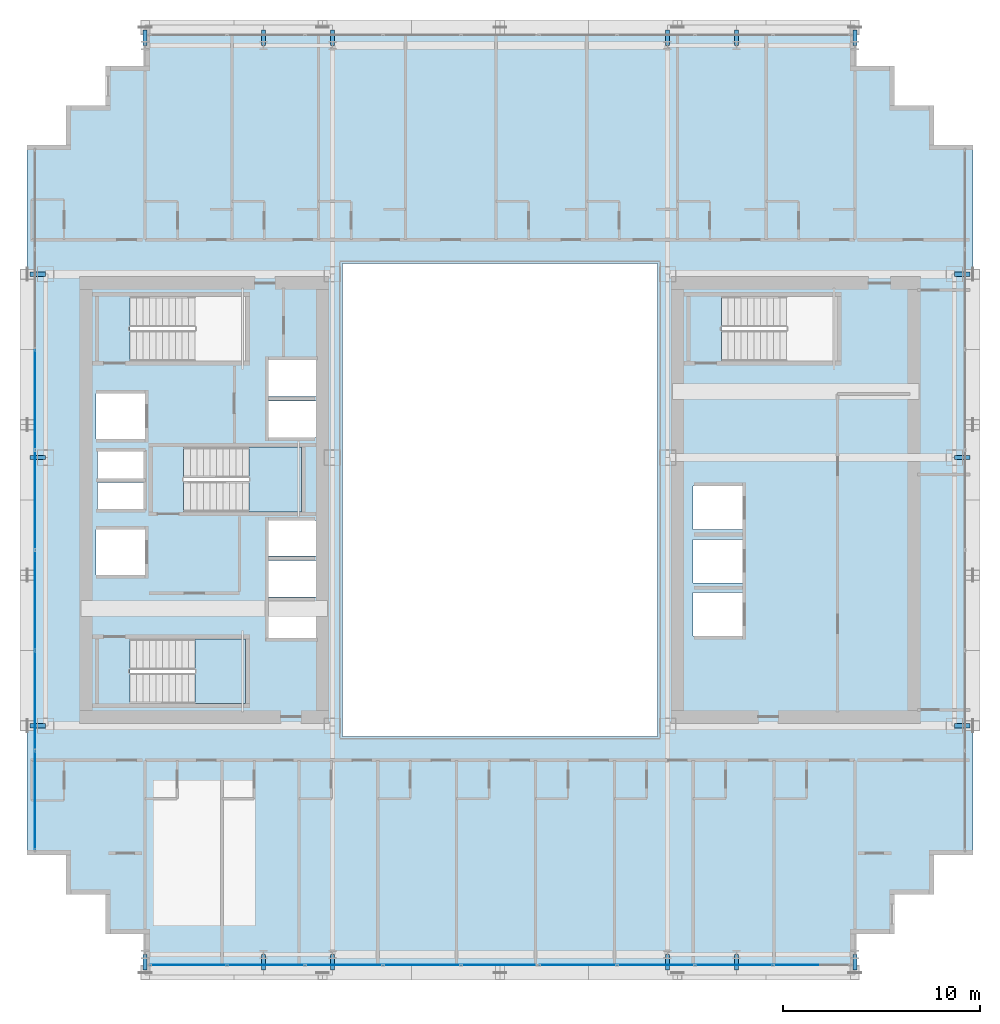
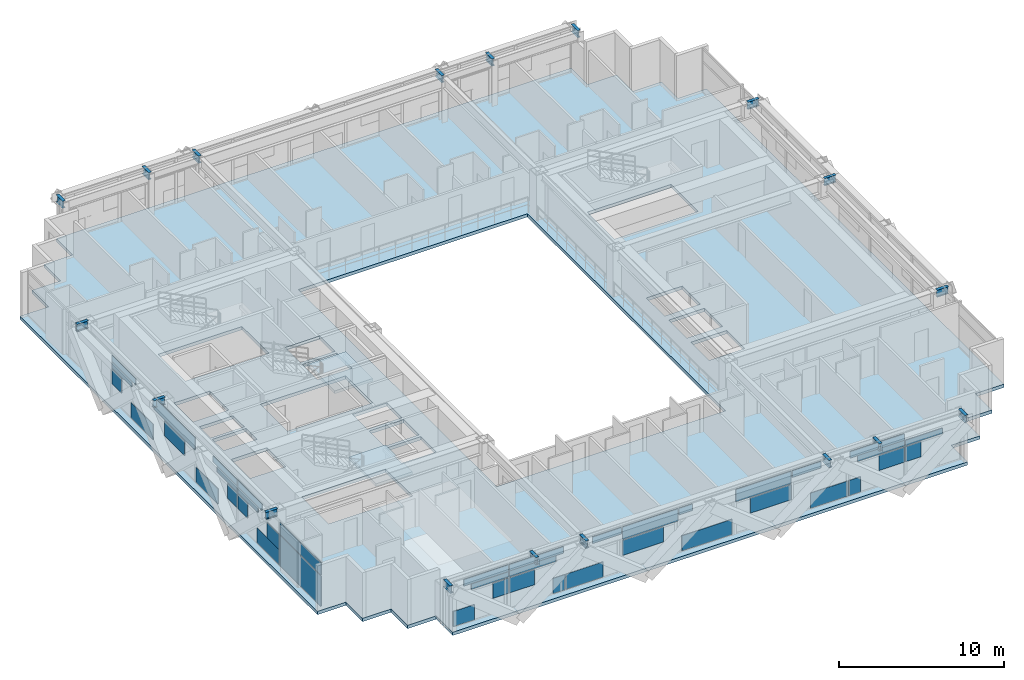
# One storey, part 23 of 36: 41 plates, 18 beams, 3 slabs, 4 elements without a shape of their own.
"""IFC4 building model written with IfcOpenShell, lengths in metres."""

from ifc_helpers import new_model, si_unit, direction, frame, origin, origin_2d, place, context, subcontext, project, spatial, polyline, rectangle, i_section, outline, extrude, source, transform, mapped, material, layer, layer_set, material_profile, profile_set, type_object, element, aggregate, save


model = new_model("IFC4")

# Units and contexts
model_context = context("Model", 3, precision=1e-05, world=origin(), true_north=direction((0.0, 1.0)))
body_context = subcontext(model_context, "Body", "Model", "MODEL_VIEW")
ifc_project = project(units=[si_unit("LENGTHUNIT", "METRE"), si_unit("AREAUNIT", "SQUARE_METRE"), si_unit("VOLUMEUNIT", "CUBIC_METRE"), si_unit("PLANEANGLEUNIT", "RADIAN"), si_unit("MASSUNIT", "GRAM", prefix="KILO")], contexts=[model_context])

# Site, building, storey
site_placement = place(None, origin())
site = spatial("IfcSite", under=ifc_project, at=site_placement, CompositionType="ELEMENT")
building_placement = place(site_placement, origin())
building = spatial("IfcBuilding", under=site, at=building_placement, Name="Ocotamira Hotel", CompositionType="ELEMENT")
storey_placement = place(building_placement, frame((0.0, 0.0, 129.60009765625)))
storey = spatial("IfcBuildingStorey", under=building, at=storey_placement, Name="L32", CompositionType="ELEMENT", Elevation=129.60009765625)

# Beams
ifc_material_1 = material(Name="Steel ASTM A992 Grade 50", Category="steel")
ifc_material_profile = material_profile(ifc_material_1, i_section(OverallWidth=0.2099609375, OverallDepth=0.537109375, WebThickness=0.010986328125, FlangeThickness=0.017333984375, FilletRadius=0.012939453125, at=origin_2d()), Name="W21X68")
ifc_profile_set = profile_set([ifc_material_profile], Name="Steel ASTM A992 Grade 50")
beam_type = type_object("IfcBeamType", Name="BM-SEC-W21X68", PredefinedType="JOIST", material=ifc_profile_set)
shared_shape_1 = source(origin(), body_context, "Body", "SweptSolid", [
    extrude(i_section(OverallWidth=0.2099609375, OverallDepth=0.537109375, WebThickness=0.010986328125, FlangeThickness=0.017333984375, FilletRadius=0.012939453125, at=origin_2d()), origin(), (0.0, 0.0, 1.0), 0.800048828125),
])
for number, where, z_axis, x_axis, name in (
    (1, (14.0, 2.949951171875, 3.09130859375), (0.0, -1.0, 0.0), (1.0, 0.0, 0.0), "L32 South Edge Header X14"),
    (2, (14.0, 49.050048828125, 3.09130859375), (0.0, 1.0, 0.0), (-1.0, 0.0, 0.0), "L32 North Edge Header X14"),
    (3, (20.0, 2.949951171875, 3.09130859375), (0.0, -1.0, 0.0), (1.0, 0.0, 0.0), "L32 South Edge Header X20"),
    (4, (20.0, 49.050048828125, 3.09130859375), (0.0, 1.0, 0.0), (-1.0, 0.0, 0.0), "L32 North Edge Header X20"),
    (5, (23.5, 2.949951171875, 3.09130859375), (0.0, -1.0, 0.0), (1.0, 0.0, 0.0), "L32 South Edge Header X23.5"),
    (6, (23.5, 49.050048828125, 3.09130859375), (0.0, 1.0, 0.0), (-1.0, 0.0, 0.0), "L32 North Edge Header X23.5"),
    (7, (40.5, 2.949951171875, 3.09130859375), (0.0, -1.0, 0.0), (1.0, 0.0, 0.0), "L32 South Edge Header X40.5"),
    (8, (40.5, 49.050048828125, 3.09130859375), (0.0, 1.0, 0.0), (-1.0, 0.0, 0.0), "L32 North Edge Header X40.5"),
    (9, (44.0, 2.949951171875, 3.09130859375), (0.0, -1.0, 0.0), (1.0, 0.0, 0.0), "L32 South Edge Header X44"),
    (10, (44.0, 49.050048828125, 3.09130859375), (0.0, 1.0, 0.0), (-1.0, 0.0, 0.0), "L32 North Edge Header X44"),
    (11, (50.0, 2.949951171875, 3.09130859375), (0.0, -1.0, 0.0), (1.0, 0.0, 0.0), "L32 South Edge Header X50"),
    (12, (50.0, 49.050048828125, 3.09130859375), (0.0, 1.0, 0.0), (-1.0, 0.0, 0.0), "L32 North Edge Header X50"),
    (13, (8.949951171875, 14.550048828125, 3.09130859375), (-1.0, 0.0, 0.0), (0.0, -1.0, 0.0), "L32 West Edge Header Y14.55"),
    (14, (55.050048828125, 14.550048828125, 3.09130859375), (1.0, 0.0, 0.0), (0.0, 1.0, 0.0), "L32 East Edge Header Y14.55"),
    (15, (8.949951171875, 28.14990234375, 3.09130859375), (-1.0, 0.0, 0.0), (0.0, -1.0, 0.0), "L32 West Edge Header Y28.15"),
    (16, (55.050048828125, 28.14990234375, 3.09130859375), (1.0, 0.0, 0.0), (0.0, 1.0, 0.0), "L32 East Edge Header Y28.15"),
    (17, (8.949951171875, 37.449951171875, 3.09130859375), (-1.0, 0.0, 0.0), (0.0, -1.0, 0.0), "L32 West Edge Header Y37.45"),
    (18, (55.050048828125, 37.449951171875, 3.09130859375), (1.0, 0.0, 0.0), (0.0, 1.0, 0.0), "L32 East Edge Header Y37.45"),
):
    element("IfcBeam", number, at=place(storey_placement, frame(where, z_axis=z_axis, x_axis=x_axis)), inside=storey, type_object=beam_type, Name=name, PredefinedType="JOIST", context=body_context, shape_type="MappedRepresentation", body=[
        mapped(shared_shape_1, transform((0.0, 0.0, 0.0), scale=1.0)),
    ])

# Stair, slab
ifc_material_2 = material(Name="Concrete C40/50", Category="concrete")
stair_type = type_object("IfcStairType", Name="ST-CORE-1560", PredefinedType="HALF_TURN_STAIR", material=ifc_material_2)
stair_1_placement = place(storey_placement, origin())
stair_1 = element("IfcStair", 19, at=stair_1_placement, inside=storey, type_object=stair_type, Name="L32 Exit Stair ST-1", PredefinedType="HALF_TURN_STAIR")
ifc_layer_1 = layer(ifc_material_2, 0.199951171875)
ifc_layer_set_1 = layer_set([ifc_layer_1], Name="Concrete C40/50")
slab_type_1 = type_object("IfcSlabType", Name="SLB-LAND-200", PredefinedType="LANDING", material=ifc_layer_set_1)
slab_1_placement = place(storey_placement, frame((0.0, 0.0, 1.599853515625)))
slab_1 = element("IfcSlab", 20, at=slab_1_placement, type_object=slab_type_1, Name="ST-1 landing 1", PredefinedType="LANDING", context=body_context, shape_type="SweptSolid", body=[
    extrude(outline(polyline([(16.530029296875, 15.669921875), (19.090087890625, 15.669921875), (19.090087890625, 18.949951171875), (16.530029296875, 18.949951171875), (16.530029296875, 15.669921875)])), origin(), (0.0, 0.0, 1.0), 0.199951171875),
])
aggregate(stair_1, [slab_1])

stair_2_placement = place(storey_placement, origin())
stair_2 = element("IfcStair", 21, at=stair_2_placement, inside=storey, type_object=stair_type, Name="L32 Exit Stair ST-3", PredefinedType="HALF_TURN_STAIR")
slab_2_placement = place(storey_placement, frame((0.0, 0.0, 1.599853515625)))
slab_2 = element("IfcSlab", 22, at=slab_2_placement, type_object=slab_type_1, Name="ST-3 landing 1", PredefinedType="LANDING", context=body_context, shape_type="SweptSolid", body=[
    extrude(outline(polyline([(19.260009765625, 25.39990234375), (21.919921875, 25.39990234375), (21.919921875, 28.679931640625), (19.260009765625, 28.679931640625), (19.260009765625, 25.39990234375)])), origin(), (0.0, 0.0, 1.0), 0.199951171875),
])
aggregate(stair_2, [slab_2])

# Slab
ifc_layer_2 = layer(ifc_material_2, 0.239990234375)
ifc_layer_set_2 = layer_set([ifc_layer_2], Name="Concrete C40/50")
slab_type_2 = type_object("IfcSlabType", Name="SLB-TYP-240", PredefinedType="FLOOR", material=ifc_layer_set_2)
slab_3_placement = place(storey_placement, frame((0.0, 0.0, -0.239990234375)))
element("IfcSlab", 23, at=slab_3_placement, inside=storey, type_object=slab_type_2, Name="L32 Structural Floor Slab", PredefinedType="FLOOR", context=body_context, shape_type="SweptSolid", body=[
    extrude(outline(polyline([(14.0, 2.0), (50.0, 2.0), (50.0, 4.0), (52.0, 4.0), (52.0, 6.0), (54.0, 6.0), (54.0, 8.0), (56.0, 8.0), (56.0, 44.0), (54.0, 44.0), (54.0, 46.0), (52.0, 46.0), (52.0, 48.0), (50.0, 48.0), (50.0, 50.0), (14.0, 50.0), (14.0, 48.0), (12.0, 48.0), (12.0, 46.0), (10.0, 46.0), (10.0, 44.0), (8.0, 44.0), (8.0, 8.0), (10.0, 8.0), (10.0, 6.0), (12.0, 6.0), (12.0, 4.0), (14.0, 4.0), (14.0, 2.0)]), holes=[polyline([(24.0, 14.0), (40.0, 14.0), (40.0, 38.0), (24.0, 38.0), (24.0, 14.0)]), polyline([(13.22998046875, 15.669921875), (19.090087890625, 15.669921875), (19.090087890625, 18.949951171875), (13.22998046875, 18.949951171875), (13.22998046875, 15.669921875)]), polyline([(13.22998046875, 33.050048828125), (19.090087890625, 33.050048828125), (19.090087890625, 36.330078125), (13.22998046875, 36.330078125), (13.22998046875, 33.050048828125)]), polyline([(15.9599609375, 25.39990234375), (21.919921875, 25.39990234375), (21.919921875, 28.679931640625), (15.9599609375, 28.679931640625), (15.9599609375, 25.39990234375)]), polyline([(43.22998046875, 33.050048828125), (49.090087890625, 33.050048828125), (49.090087890625, 36.330078125), (43.22998046875, 36.330078125), (43.22998046875, 33.050048828125)]), polyline([(41.800048828125, 19.10009765625), (44.300048828125, 19.10009765625), (44.300048828125, 21.300048828125), (41.800048828125, 21.300048828125), (41.800048828125, 19.10009765625)]), polyline([(41.800048828125, 21.800048828125), (44.300048828125, 21.800048828125), (44.300048828125, 24.0), (41.800048828125, 24.0), (41.800048828125, 21.800048828125)]), polyline([(41.800048828125, 24.5), (44.300048828125, 24.5), (44.300048828125, 26.699951171875), (41.800048828125, 26.699951171875), (41.800048828125, 24.5)]), polyline([(20.25, 19.0), (22.659912109375, 19.0), (22.659912109375, 20.85009765625), (20.25, 20.85009765625), (20.25, 19.0)]), polyline([(20.25, 21.080078125), (22.659912109375, 21.080078125), (22.659912109375, 22.929931640625), (20.25, 22.929931640625), (20.25, 21.080078125)]), polyline([(20.25, 23.159912109375), (22.659912109375, 23.159912109375), (22.659912109375, 24.9599609375), (20.25, 24.9599609375), (20.25, 23.159912109375)]), polyline([(20.25, 29.179931640625), (22.659912109375, 29.179931640625), (22.659912109375, 31.030029296875), (20.25, 31.030029296875), (20.25, 29.179931640625)]), polyline([(20.25, 31.260009765625), (22.659912109375, 31.260009765625), (22.659912109375, 33.110107421875), (20.25, 33.110107421875), (20.25, 31.260009765625)]), polyline([(11.5, 22.199951171875), (14.0, 22.199951171875), (14.0, 24.5), (11.5, 24.5), (11.5, 22.199951171875)]), polyline([(11.5, 29.10009765625), (14.0, 29.10009765625), (14.0, 31.39990234375), (11.5, 31.39990234375), (11.5, 29.10009765625)]), polyline([(11.580078125, 25.550048828125), (13.919921875, 25.550048828125), (13.919921875, 26.89990234375), (11.580078125, 26.89990234375), (11.580078125, 25.550048828125)]), polyline([(11.580078125, 27.10009765625), (13.919921875, 27.10009765625), (13.919921875, 28.449951171875), (11.580078125, 28.449951171875), (11.580078125, 27.10009765625)])]), origin(), (0.0, 0.0, 1.0), 0.239990234375),
])

# Curtain wall, plate
ifc_material_3 = material(Name="Anodised pale-metal aluminium and solar glass", Category="aluminium")
ifc_layer_3 = layer(ifc_material_3, 0.179931640625)
ifc_layer_set_3 = layer_set([ifc_layer_3], Name="Anodised pale-metal aluminium and solar glass")
curtain_wall_type = type_object("IfcCurtainWallType", Name="CW-SYS3-Z2", PredefinedType="NOTDEFINED", material=ifc_layer_set_3)
curtain_wall_1_placement = place(storey_placement, origin())
curtain_wall_1 = element("IfcCurtainWall", 24, at=curtain_wall_1_placement, inside=storey, type_object=curtain_wall_type, Name="L32 Curtain Wall CW-3 CW-L32-W", PredefinedType="NOTDEFINED")
ifc_material_4 = material(Name="Double-silver low-E insulated solar glass", Category="glass")
ifc_layer_4 = layer(ifc_material_4, 0.031982421875)
ifc_layer_set_4 = layer_set([ifc_layer_4], Name="Double-silver low-E insulated solar glass")
plate_type = type_object("IfcPlateType", Name="CWP-VISION-32", PredefinedType="CURTAIN_PANEL", material=ifc_layer_set_4)
shared_shape_2 = source(origin(), body_context, "Body", "SweptSolid", [
    extrude(rectangle(XDim=4.9658203125, YDim=0.031982421875, at=origin_2d()), origin(), (0.0, 0.0, 1.0), 2.237548828125),
])
plate_1_placement = place(storey_placement, frame((8.419921875, 10.762939453125, 0.07470703125), z_axis=(0.0, 0.0, 1.0), x_axis=(0.0, 1.0, 0.0)))
plate_1 = element("IfcPlate", 25, at=plate_1_placement, type_object=plate_type, Name="CW-3 panel 1.1", PredefinedType="CURTAIN_PANEL", context=body_context, shape_type="MappedRepresentation", body=[
    mapped(shared_shape_2, transform((0.0, 0.0, 0.0), scale=1.0)),
])

# Curtain wall, plates
curtain_wall_2_placement = place(storey_placement, origin())
curtain_wall_2 = element("IfcCurtainWall", 26, at=curtain_wall_2_placement, inside=storey, type_object=curtain_wall_type, Name="L32 Curtain Wall CW-3 CW-L32-S1", PredefinedType="NOTDEFINED")
shared_shape_3 = source(origin(), body_context, "Body", "SweptSolid", [
    extrude(rectangle(XDim=3.87548828125, YDim=0.031982421875, at=origin_2d()), origin(), (0.0, 0.0, 1.0), 0.8974609375),
])
plate_2_placement = place(storey_placement, frame((28.04443359375, 2.419921875, 2.387451171875), z_axis=(0.0, 0.0, 1.0), x_axis=(1.0, 0.0, 0.0)))
plate_2 = element("IfcPlate", 27, at=plate_2_placement, type_object=plate_type, Name="CW-3 panel 4.2", PredefinedType="CURTAIN_PANEL", context=body_context, shape_type="MappedRepresentation", body=[
    mapped(shared_shape_3, transform((0.0, 0.0, 0.0), scale=1.0)),
])
plate_3_placement = place(storey_placement, frame((35.95556640625, 2.419921875, 2.387451171875), z_axis=(0.0, 0.0, 1.0), x_axis=(1.0, 0.0, 0.0)))
plate_3 = element("IfcPlate", 28, at=plate_3_placement, type_object=plate_type, Name="CW-3 panel 6.2", PredefinedType="CURTAIN_PANEL", context=body_context, shape_type="MappedRepresentation", body=[
    mapped(shared_shape_3, transform((0.0, 0.0, 0.0), scale=1.0)),
])

# Plate
shared_shape_4 = source(origin(), body_context, "Body", "SweptSolid", [
    extrude(rectangle(XDim=4.9658203125, YDim=0.031982421875, at=origin_2d()), origin(), (0.0, 0.0, 1.0), 0.8974609375),
])
plate_4_placement = place(storey_placement, frame((8.419921875, 10.762939453125, 2.387451171875), z_axis=(0.0, 0.0, 1.0), x_axis=(0.0, 1.0, 0.0)))
plate_4 = element("IfcPlate", 29, at=plate_4_placement, type_object=plate_type, Name="CW-3 panel 1.2", PredefinedType="CURTAIN_PANEL", context=body_context, shape_type="MappedRepresentation", body=[
    mapped(shared_shape_4, transform((0.0, 0.0, 0.0), scale=1.0)),
])

shared_shape_5 = source(origin(), body_context, "Body", "SweptSolid", [
    extrude(rectangle(XDim=2.404296875, YDim=0.031982421875, at=origin_2d()), origin(), (0.0, 0.0, 1.0), 1.118896484375),
])
plate_5_placement = place(storey_placement, frame((8.419921875, 26.0, 1.193359375), z_axis=(0.0, 0.0, 1.0), x_axis=(0.0, 1.0, 0.0)))
plate_5 = element("IfcPlate", 30, at=plate_5_placement, type_object=plate_type, Name="CW-3 panel 4.1.1", PredefinedType="CURTAIN_PANEL", context=body_context, shape_type="MappedRepresentation", body=[
    mapped(shared_shape_5, transform((0.0, 0.0, 0.0), scale=1.0)),
])

shared_shape_6 = source(origin(), body_context, "Body", "SweptSolid", [
    extrude(rectangle(XDim=3.104248046875, YDim=0.031982421875, at=origin_2d()), origin(), (0.0, 0.0, 1.0), 0.4716796875),
])
plate_6_placement = place(storey_placement, frame((16.5634765625, 2.419921875, 2.813232421875), z_axis=(0.0, 0.0, 1.0), x_axis=(1.0, 0.0, 0.0)))
plate_6 = element("IfcPlate", 31, at=plate_6_placement, type_object=plate_type, Name="CW-3 panel 1.2.1", PredefinedType="CURTAIN_PANEL", context=body_context, shape_type="MappedRepresentation", body=[
    mapped(shared_shape_6, transform((0.0, 0.0, 0.0), scale=1.0)),
])

shared_shape_7 = source(origin(), body_context, "Body", "SweptSolid", [
    extrude(rectangle(XDim=2.572021484375, YDim=0.031982421875, at=origin_2d()), origin(), (0.0, 0.0, 1.0), 0.39453125),
])
plate_7_placement = place(storey_placement, frame((16.82958984375, 2.419921875, 2.387451171875), z_axis=(0.0, 0.0, 1.0), x_axis=(1.0, 0.0, 0.0)))
plate_7 = element("IfcPlate", 32, at=plate_7_placement, type_object=plate_type, Name="CW-3 panel 1.2.2", PredefinedType="CURTAIN_PANEL", context=body_context, shape_type="MappedRepresentation", body=[
    mapped(shared_shape_7, transform((0.0, 0.0, 0.0), scale=1.0)),
])

plate_8_placement = place(storey_placement, frame((47.17041015625, 2.419921875, 2.387451171875), z_axis=(0.0, 0.0, 1.0), x_axis=(1.0, 0.0, 0.0)))
plate_8 = element("IfcPlate", 33, at=plate_8_placement, type_object=plate_type, Name="CW-3 panel 9.2.1", PredefinedType="CURTAIN_PANEL", context=body_context, shape_type="MappedRepresentation", body=[
    mapped(shared_shape_7, transform((0.0, 0.0, 0.0), scale=1.0)),
])

shared_shape_8 = source(origin(), body_context, "Body", "SweptSolid", [
    extrude(rectangle(XDim=3.260986328125, YDim=0.031982421875, at=origin_2d()), origin(), (0.0, 0.0, 1.0), 0.42578125),
])
plate_9_placement = place(storey_placement, frame((19.826171875, 2.419921875, 2.387451171875), z_axis=(0.0, 0.0, 1.0), x_axis=(1.0, 0.0, 0.0)))
plate_9 = element("IfcPlate", 34, at=plate_9_placement, type_object=plate_type, Name="CW-3 panel 2.2.1", PredefinedType="CURTAIN_PANEL", context=body_context, shape_type="MappedRepresentation", body=[
    mapped(shared_shape_8, transform((0.0, 0.0, 0.0), scale=1.0)),
])

plate_10_placement = place(storey_placement, frame((44.173828125, 2.419921875, 2.387451171875), z_axis=(0.0, 0.0, 1.0), x_axis=(1.0, 0.0, 0.0)))
plate_10 = element("IfcPlate", 35, at=plate_10_placement, type_object=plate_type, Name="CW-3 panel 8.2.2", PredefinedType="CURTAIN_PANEL", context=body_context, shape_type="MappedRepresentation", body=[
    mapped(shared_shape_8, transform((0.0, 0.0, 0.0), scale=1.0)),
])

shared_shape_9 = source(origin(), body_context, "Body", "SweptSolid", [
    extrude(rectangle(XDim=3.793212890625, YDim=0.031982421875, at=origin_2d()), origin(), (0.0, 0.0, 1.0), 0.4716796875),
])
plate_11_placement = place(storey_placement, frame((20.09228515625, 2.419921875, 2.813232421875), z_axis=(0.0, 0.0, 1.0), x_axis=(1.0, 0.0, 0.0)))
plate_11 = element("IfcPlate", 36, at=plate_11_placement, type_object=plate_type, Name="CW-3 panel 2.2.2", PredefinedType="CURTAIN_PANEL", context=body_context, shape_type="MappedRepresentation", body=[
    mapped(shared_shape_9, transform((0.0, 0.0, 0.0), scale=1.0)),
])

plate_12_placement = place(storey_placement, frame((43.90771484375, 2.419921875, 2.813232421875), z_axis=(0.0, 0.0, 1.0), x_axis=(1.0, 0.0, 0.0)))
plate_12 = element("IfcPlate", 37, at=plate_12_placement, type_object=plate_type, Name="CW-3 panel 8.2.1", PredefinedType="CURTAIN_PANEL", context=body_context, shape_type="MappedRepresentation", body=[
    mapped(shared_shape_9, transform((0.0, 0.0, 0.0), scale=1.0)),
])

shared_shape_10 = source(origin(), body_context, "Body", "SweptSolid", [
    extrude(rectangle(XDim=2.015380859375, YDim=0.031982421875, at=origin_2d()), origin(), (0.0, 0.0, 1.0), 0.4716796875),
])
plate_13_placement = place(storey_placement, frame((25.018798828125, 2.419921875, 2.813232421875), z_axis=(0.0, 0.0, 1.0), x_axis=(1.0, 0.0, 0.0)))
plate_13 = element("IfcPlate", 38, at=plate_13_placement, type_object=plate_type, Name="CW-3 panel 3.2.1", PredefinedType="CURTAIN_PANEL", context=body_context, shape_type="MappedRepresentation", body=[
    mapped(shared_shape_10, transform((0.0, 0.0, 0.0), scale=1.0)),
])

plate_14_placement = place(storey_placement, frame((38.981201171875, 2.419921875, 2.813232421875), z_axis=(0.0, 0.0, 1.0), x_axis=(1.0, 0.0, 0.0)))
plate_14 = element("IfcPlate", 39, at=plate_14_placement, type_object=plate_type, Name="CW-3 panel 7.2.1", PredefinedType="CURTAIN_PANEL", context=body_context, shape_type="MappedRepresentation", body=[
    mapped(shared_shape_10, transform((0.0, 0.0, 0.0), scale=1.0)),
])

shared_shape_11 = source(origin(), body_context, "Body", "SweptSolid", [
    extrude(rectangle(XDim=0.926513671875, YDim=0.031982421875, at=origin_2d()), origin(), (0.0, 0.0, 1.0), 0.4716796875),
])
plate_15_placement = place(storey_placement, frame((30.525390625, 2.419921875, 2.813232421875), z_axis=(0.0, 0.0, 1.0), x_axis=(1.0, 0.0, 0.0)))
plate_15 = element("IfcPlate", 40, at=plate_15_placement, type_object=plate_type, Name="CW-3 panel 5.2.1", PredefinedType="CURTAIN_PANEL", context=body_context, shape_type="MappedRepresentation", body=[
    mapped(shared_shape_11, transform((0.0, 0.0, 0.0), scale=1.0)),
])

shared_shape_12 = source(origin(), body_context, "Body", "SweptSolid", [
    extrude(rectangle(XDim=2.908203125, YDim=0.031982421875, at=origin_2d()), origin(), (0.0, 0.0, 1.0), 0.44873046875),
])
plate_16_placement = place(storey_placement, frame((8.419921875, 16.877197265625, 2.836181640625), z_axis=(0.0, 0.0, 1.0), x_axis=(0.0, 1.0, 0.0)))
plate_16 = element("IfcPlate", 41, at=plate_16_placement, type_object=plate_type, Name="CW-3 panel 2.2.1", PredefinedType="CURTAIN_PANEL", context=body_context, shape_type="MappedRepresentation", body=[
    mapped(shared_shape_12, transform((0.0, 0.0, 0.0), scale=1.0)),
])

shared_shape_13 = source(origin(), body_context, "Body", "SweptSolid", [
    extrude(rectangle(XDim=2.4326171875, YDim=0.031982421875, at=origin_2d()), origin(), (0.0, 0.0, 1.0), 0.414306640625),
])
plate_17_placement = place(storey_placement, frame((8.419921875, 17.115234375, 2.38720703125), z_axis=(0.0, 0.0, 1.0), x_axis=(0.0, 1.0, 0.0)))
plate_17 = element("IfcPlate", 42, at=plate_17_placement, type_object=plate_type, Name="CW-3 panel 2.2.2", PredefinedType="CURTAIN_PANEL", context=body_context, shape_type="MappedRepresentation", body=[
    mapped(shared_shape_13, transform((0.0, 0.0, 0.0), scale=1.0)),
])

shared_shape_14 = source(origin(), body_context, "Body", "SweptSolid", [
    extrude(rectangle(XDim=2.4228515625, YDim=0.031982421875, at=origin_2d()), origin(), (0.0, 0.0, 1.0), 0.414306640625),
])
plate_18_placement = place(storey_placement, frame((8.419921875, 19.622802734375, 2.38720703125), z_axis=(0.0, 0.0, 1.0), x_axis=(0.0, 1.0, 0.0)))
plate_18 = element("IfcPlate", 43, at=plate_18_placement, type_object=plate_type, Name="CW-3 panel 3.2.1", PredefinedType="CURTAIN_PANEL", context=body_context, shape_type="MappedRepresentation", body=[
    mapped(shared_shape_14, transform((0.0, 0.0, 0.0), scale=1.0)),
])

plate_19_placement = place(storey_placement, frame((8.419921875, 32.377197265625, 2.38720703125), z_axis=(0.0, 0.0, 1.0), x_axis=(0.0, 1.0, 0.0)))
plate_19 = element("IfcPlate", 44, at=plate_19_placement, type_object=plate_type, Name="CW-3 panel 5.2.2", PredefinedType="CURTAIN_PANEL", context=body_context, shape_type="MappedRepresentation", body=[
    mapped(shared_shape_14, transform((0.0, 0.0, 0.0), scale=1.0)),
])

shared_shape_15 = source(origin(), body_context, "Body", "SweptSolid", [
    extrude(rectangle(XDim=2.898681640625, YDim=0.031982421875, at=origin_2d()), origin(), (0.0, 0.0, 1.0), 0.44873046875),
])
plate_20_placement = place(storey_placement, frame((8.419921875, 19.860595703125, 2.836181640625), z_axis=(0.0, 0.0, 1.0), x_axis=(0.0, 1.0, 0.0)))
plate_20 = element("IfcPlate", 45, at=plate_20_placement, type_object=plate_type, Name="CW-3 panel 3.2.2", PredefinedType="CURTAIN_PANEL", context=body_context, shape_type="MappedRepresentation", body=[
    mapped(shared_shape_15, transform((0.0, 0.0, 0.0), scale=1.0)),
])

plate_21_placement = place(storey_placement, frame((8.419921875, 32.139404296875, 2.836181640625), z_axis=(0.0, 0.0, 1.0), x_axis=(0.0, 1.0, 0.0)))
plate_21 = element("IfcPlate", 46, at=plate_21_placement, type_object=plate_type, Name="CW-3 panel 5.2.1", PredefinedType="CURTAIN_PANEL", context=body_context, shape_type="MappedRepresentation", body=[
    mapped(shared_shape_15, transform((0.0, 0.0, 0.0), scale=1.0)),
])

shared_shape_16 = source(origin(), body_context, "Body", "SweptSolid", [
    extrude(rectangle(XDim=5.005615234375, YDim=0.031982421875, at=origin_2d()), origin(), (0.0, 0.0, 1.0), 0.8974609375),
])
plate_22_placement = place(storey_placement, frame((8.419921875, 26.0, 2.387451171875), z_axis=(0.0, 0.0, 1.0), x_axis=(0.0, 1.0, 0.0)))
plate_22 = element("IfcPlate", 47, at=plate_22_placement, type_object=plate_type, Name="CW-3 panel 4.2", PredefinedType="CURTAIN_PANEL", context=body_context, shape_type="MappedRepresentation", body=[
    mapped(shared_shape_16, transform((0.0, 0.0, 0.0), scale=1.0)),
])

shared_shape_17 = source(origin(), body_context, "Body", "SweptSolid", [
    extrude(rectangle(XDim=1.47509765625, YDim=0.031982421875, at=origin_2d()), origin(), (0.0, 0.0, 1.0), 1.11865234375),
])
plate_23_placement = place(storey_placement, frame((15.017578125, 2.419921875, 0.074951171875), z_axis=(0.0, 0.0, 1.0), x_axis=(1.0, 0.0, 0.0)))
plate_23 = element("IfcPlate", 48, at=plate_23_placement, type_object=plate_type, Name="CW-3 panel 1.1.1", PredefinedType="CURTAIN_PANEL", context=body_context, shape_type="MappedRepresentation", body=[
    mapped(shared_shape_17, transform((0.0, 0.0, 0.0), scale=1.0)),
])

shared_shape_18 = source(origin(), body_context, "Body", "SweptSolid", [
    extrude(rectangle(XDim=1.079833984375, YDim=0.031982421875, at=origin_2d()), origin(), (0.0, 0.0, 1.0), 1.118896484375),
])
plate_24_placement = place(storey_placement, frame((17.57568359375, 2.419921875, 1.193359375), z_axis=(0.0, 0.0, 1.0), x_axis=(1.0, 0.0, 0.0)))
plate_24 = element("IfcPlate", 49, at=plate_24_placement, type_object=plate_type, Name="CW-3 panel 1.1.2", PredefinedType="CURTAIN_PANEL", context=body_context, shape_type="MappedRepresentation", body=[
    mapped(shared_shape_18, transform((0.0, 0.0, 0.0), scale=1.0)),
])

plate_25_placement = place(storey_placement, frame((46.42431640625, 2.419921875, 1.193359375), z_axis=(0.0, 0.0, 1.0), x_axis=(1.0, 0.0, 0.0)))
plate_25 = element("IfcPlate", 50, at=plate_25_placement, type_object=plate_type, Name="CW-3 panel 9.1.1", PredefinedType="CURTAIN_PANEL", context=body_context, shape_type="MappedRepresentation", body=[
    mapped(shared_shape_18, transform((0.0, 0.0, 0.0), scale=1.0)),
])

shared_shape_19 = source(origin(), body_context, "Body", "SweptSolid", [
    extrude(rectangle(XDim=1.768798828125, YDim=0.031982421875, at=origin_2d()), origin(), (0.0, 0.0, 1.0), 1.118896484375),
])
plate_26_placement = place(storey_placement, frame((19.080078125, 2.419921875, 1.193359375), z_axis=(0.0, 0.0, 1.0), x_axis=(1.0, 0.0, 0.0)))
plate_26 = element("IfcPlate", 51, at=plate_26_placement, type_object=plate_type, Name="CW-3 panel 2.1.1", PredefinedType="CURTAIN_PANEL", context=body_context, shape_type="MappedRepresentation", body=[
    mapped(shared_shape_19, transform((0.0, 0.0, 0.0), scale=1.0)),
])

plate_27_placement = place(storey_placement, frame((44.919921875, 2.419921875, 1.193359375), z_axis=(0.0, 0.0, 1.0), x_axis=(1.0, 0.0, 0.0)))
plate_27 = element("IfcPlate", 52, at=plate_27_placement, type_object=plate_type, Name="CW-3 panel 8.1.2", PredefinedType="CURTAIN_PANEL", context=body_context, shape_type="MappedRepresentation", body=[
    mapped(shared_shape_19, transform((0.0, 0.0, 0.0), scale=1.0)),
])

shared_shape_20 = source(origin(), body_context, "Body", "SweptSolid", [
    extrude(rectangle(XDim=0.826171875, YDim=0.031982421875, at=origin_2d()), origin(), (0.0, 0.0, 1.0), 1.11865234375),
])
plate_28_placement = place(storey_placement, frame((21.658203125, 2.419921875, 0.074951171875), z_axis=(0.0, 0.0, 1.0), x_axis=(1.0, 0.0, 0.0)))
plate_28 = element("IfcPlate", 53, at=plate_28_placement, type_object=plate_type, Name="CW-3 panel 2.1.2", PredefinedType="CURTAIN_PANEL", context=body_context, shape_type="MappedRepresentation", body=[
    mapped(shared_shape_20, transform((0.0, 0.0, 0.0), scale=1.0)),
])

plate_29_placement = place(storey_placement, frame((42.341796875, 2.419921875, 0.074951171875), z_axis=(0.0, 0.0, 1.0), x_axis=(1.0, 0.0, 0.0)))
plate_29 = element("IfcPlate", 54, at=plate_29_placement, type_object=plate_type, Name="CW-3 panel 8.1.1", PredefinedType="CURTAIN_PANEL", context=body_context, shape_type="MappedRepresentation", body=[
    mapped(shared_shape_20, transform((0.0, 0.0, 0.0), scale=1.0)),
])

shared_shape_21 = source(origin(), body_context, "Body", "SweptSolid", [
    extrude(rectangle(XDim=2.60400390625, YDim=0.031982421875, at=origin_2d()), origin(), (0.0, 0.0, 1.0), 1.11865234375),
])
plate_30_placement = place(storey_placement, frame((23.453125, 2.419921875, 0.074951171875), z_axis=(0.0, 0.0, 1.0), x_axis=(1.0, 0.0, 0.0)))
plate_30 = element("IfcPlate", 55, at=plate_30_placement, type_object=plate_type, Name="CW-3 panel 3.1.1", PredefinedType="CURTAIN_PANEL", context=body_context, shape_type="MappedRepresentation", body=[
    mapped(shared_shape_21, transform((0.0, 0.0, 0.0), scale=1.0)),
])

plate_31_placement = place(storey_placement, frame((40.546875, 2.419921875, 0.074951171875), z_axis=(0.0, 0.0, 1.0), x_axis=(1.0, 0.0, 0.0)))
plate_31 = element("IfcPlate", 56, at=plate_31_placement, type_object=plate_type, Name="CW-3 panel 7.1.1", PredefinedType="CURTAIN_PANEL", context=body_context, shape_type="MappedRepresentation", body=[
    mapped(shared_shape_21, transform((0.0, 0.0, 0.0), scale=1.0)),
])

shared_shape_22 = source(origin(), body_context, "Body", "SweptSolid", [
    extrude(rectangle(XDim=2.857666015625, YDim=0.031982421875, at=origin_2d()), origin(), (0.0, 0.0, 1.0), 1.118896484375),
])
plate_32_placement = place(storey_placement, frame((27.535400390625, 2.419921875, 1.193359375), z_axis=(0.0, 0.0, 1.0), x_axis=(1.0, 0.0, 0.0)))
plate_32 = element("IfcPlate", 57, at=plate_32_placement, type_object=plate_type, Name="CW-3 panel 4.1.1", PredefinedType="CURTAIN_PANEL", context=body_context, shape_type="MappedRepresentation", body=[
    mapped(shared_shape_22, transform((0.0, 0.0, 0.0), scale=1.0)),
])

plate_33_placement = place(storey_placement, frame((36.464599609375, 2.419921875, 1.193359375), z_axis=(0.0, 0.0, 1.0), x_axis=(1.0, 0.0, 0.0)))
plate_33 = element("IfcPlate", 58, at=plate_33_placement, type_object=plate_type, Name="CW-3 panel 6.1.1", PredefinedType="CURTAIN_PANEL", context=body_context, shape_type="MappedRepresentation", body=[
    mapped(shared_shape_22, transform((0.0, 0.0, 0.0), scale=1.0)),
])

shared_shape_23 = source(origin(), body_context, "Body", "SweptSolid", [
    extrude(rectangle(XDim=3.510009765625, YDim=0.031982421875, at=origin_2d()), origin(), (0.0, 0.0, 1.0), 1.11865234375),
])
plate_34_placement = place(storey_placement, frame((32.0, 2.419921875, 0.074951171875), z_axis=(0.0, 0.0, 1.0), x_axis=(1.0, 0.0, 0.0)))
plate_34 = element("IfcPlate", 59, at=plate_34_placement, type_object=plate_type, Name="CW-3 panel 5.1.1", PredefinedType="CURTAIN_PANEL", context=body_context, shape_type="MappedRepresentation", body=[
    mapped(shared_shape_23, transform((0.0, 0.0, 0.0), scale=1.0)),
])

aggregate(curtain_wall_2, [plate_23, plate_24, plate_6, plate_7, plate_26, plate_28, plate_9, plate_11, plate_30, plate_13, plate_32, plate_2, plate_34, plate_15, plate_33, plate_3, plate_31, plate_14, plate_29, plate_27, plate_12, plate_10, plate_25, plate_8])

shared_shape_24 = source(origin(), body_context, "Body", "SweptSolid", [
    extrude(rectangle(XDim=2.6728515625, YDim=0.031982421875, at=origin_2d()), origin(), (0.0, 0.0, 1.0), 1.11865234375),
])
plate_35_placement = place(storey_placement, frame((8.419921875, 14.662109375, 0.074951171875), z_axis=(0.0, 0.0, 1.0), x_axis=(0.0, 1.0, 0.0)))
plate_35 = element("IfcPlate", 60, at=plate_35_placement, type_object=plate_type, Name="CW-3 panel 2.1.1", PredefinedType="CURTAIN_PANEL", context=body_context, shape_type="MappedRepresentation", body=[
    mapped(shared_shape_24, transform((0.0, 0.0, 0.0), scale=1.0)),
])

shared_shape_25 = source(origin(), body_context, "Body", "SweptSolid", [
    extrude(rectangle(XDim=1.48681640625, YDim=0.031982421875, at=origin_2d()), origin(), (0.0, 0.0, 1.0), 1.118896484375),
])
plate_36_placement = place(storey_placement, frame((8.419921875, 14.069091796875, 1.193359375), z_axis=(0.0, 0.0, 1.0), x_axis=(0.0, 1.0, 0.0)))
plate_36 = element("IfcPlate", 61, at=plate_36_placement, type_object=plate_type, Name="CW-3 panel 2.1.2", PredefinedType="CURTAIN_PANEL", context=body_context, shape_type="MappedRepresentation", body=[
    mapped(shared_shape_25, transform((0.0, 0.0, 0.0), scale=1.0)),
])

shared_shape_26 = source(origin(), body_context, "Body", "SweptSolid", [
    extrude(rectangle(XDim=1.1669921875, YDim=0.031982421875, at=origin_2d()), origin(), (0.0, 0.0, 1.0), 1.118896484375),
])
plate_37_placement = place(storey_placement, frame((8.419921875, 17.748046875, 1.193359375), z_axis=(0.0, 0.0, 1.0), x_axis=(0.0, 1.0, 0.0)))
plate_37 = element("IfcPlate", 62, at=plate_37_placement, type_object=plate_type, Name="CW-3 panel 2.1.3", PredefinedType="CURTAIN_PANEL", context=body_context, shape_type="MappedRepresentation", body=[
    mapped(shared_shape_26, transform((0.0, 0.0, 0.0), scale=1.0)),
])

shared_shape_27 = source(origin(), body_context, "Body", "SweptSolid", [
    extrude(rectangle(XDim=1.1572265625, YDim=0.031982421875, at=origin_2d()), origin(), (0.0, 0.0, 1.0), 1.118896484375),
])
plate_38_placement = place(storey_placement, frame((8.419921875, 18.989990234375, 1.193359375), z_axis=(0.0, 0.0, 1.0), x_axis=(0.0, 1.0, 0.0)))
plate_38 = element("IfcPlate", 63, at=plate_38_placement, type_object=plate_type, Name="CW-3 panel 3.1.1", PredefinedType="CURTAIN_PANEL", context=body_context, shape_type="MappedRepresentation", body=[
    mapped(shared_shape_27, transform((0.0, 0.0, 0.0), scale=1.0)),
])

plate_39_placement = place(storey_placement, frame((8.419921875, 33.010009765625, 1.193359375), z_axis=(0.0, 0.0, 1.0), x_axis=(0.0, 1.0, 0.0)))
plate_39 = element("IfcPlate", 64, at=plate_39_placement, type_object=plate_type, Name="CW-3 panel 5.1.2", PredefinedType="CURTAIN_PANEL", context=body_context, shape_type="MappedRepresentation", body=[
    mapped(shared_shape_27, transform((0.0, 0.0, 0.0), scale=1.0)),
])

shared_shape_28 = source(origin(), body_context, "Body", "SweptSolid", [
    extrude(rectangle(XDim=2.6826171875, YDim=0.031982421875, at=origin_2d()), origin(), (0.0, 0.0, 1.0), 1.11865234375),
])
plate_40_placement = place(storey_placement, frame((8.419921875, 22.075927734375, 0.074951171875), z_axis=(0.0, 0.0, 1.0), x_axis=(0.0, 1.0, 0.0)))
plate_40 = element("IfcPlate", 65, at=plate_40_placement, type_object=plate_type, Name="CW-3 panel 3.1.2", PredefinedType="CURTAIN_PANEL", context=body_context, shape_type="MappedRepresentation", body=[
    mapped(shared_shape_28, transform((0.0, 0.0, 0.0), scale=1.0)),
])

plate_41_placement = place(storey_placement, frame((8.419921875, 29.924072265625, 0.074951171875), z_axis=(0.0, 0.0, 1.0), x_axis=(0.0, 1.0, 0.0)))
plate_41 = element("IfcPlate", 66, at=plate_41_placement, type_object=plate_type, Name="CW-3 panel 5.1.1", PredefinedType="CURTAIN_PANEL", context=body_context, shape_type="MappedRepresentation", body=[
    mapped(shared_shape_28, transform((0.0, 0.0, 0.0), scale=1.0)),
])

aggregate(curtain_wall_1, [plate_1, plate_4, plate_35, plate_36, plate_37, plate_16, plate_17, plate_38, plate_40, plate_18, plate_20, plate_5, plate_22, plate_41, plate_39, plate_21, plate_19])

save(model, "model.ifc")
